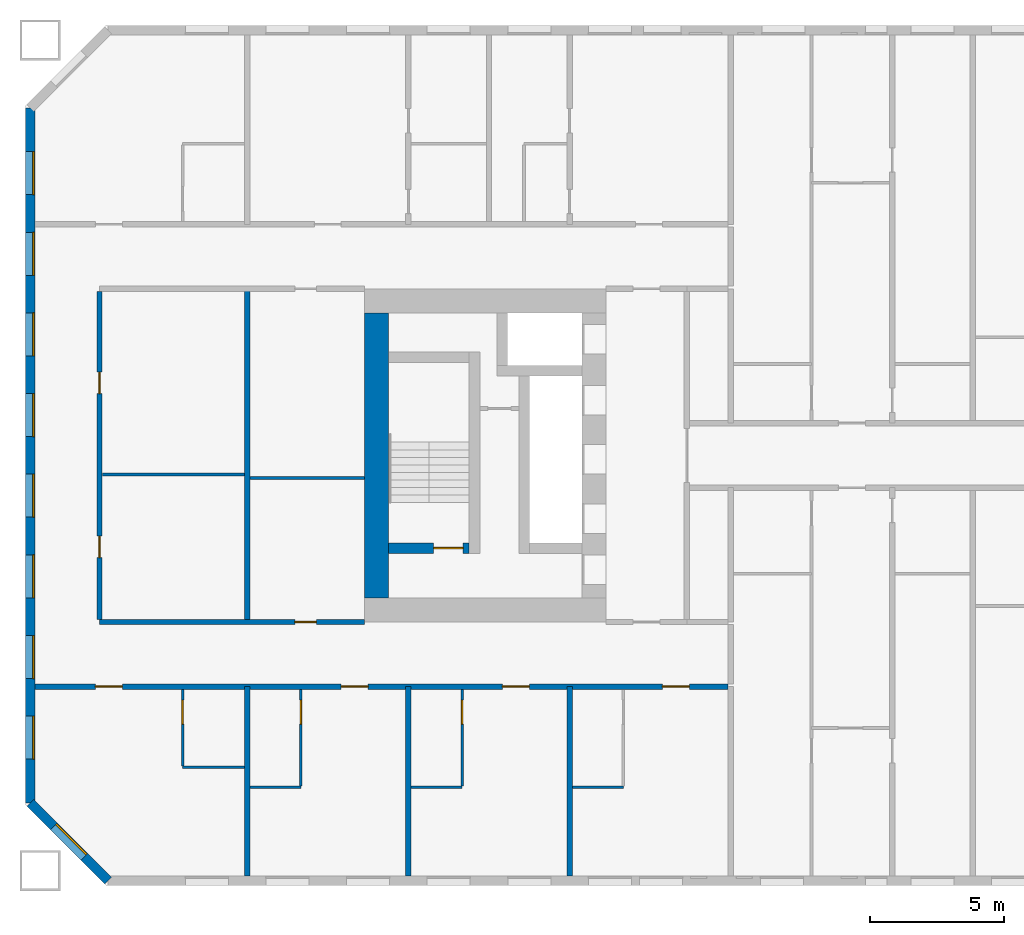
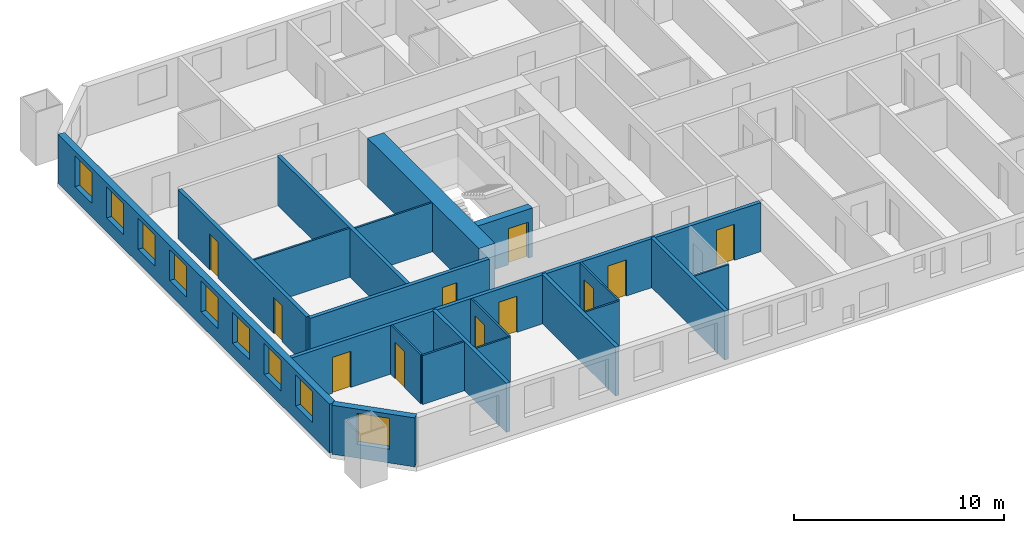
# One storey, part 2 of 16: 20 walls, 11 doors, 9 windows, 20 openings.
"""IFC4 building model written with IfcOpenShell, lengths in metres."""

from ifc_helpers import new_model, si_unit, direction, frame, frame_2d, origin, place, context, subcontext, project, spatial, rectangle, extrude, material, layer, layer_set, type_object, element, fill, save


model = new_model("IFC4")

# Units and contexts
model_context = context("Model", 3, precision=1e-05, world=origin(), true_north=direction((0.0, 1.0)))
body_context = subcontext(model_context, "Body", "Model", "MODEL_VIEW")
ifc_project = project(units=[si_unit("LENGTHUNIT", "METRE"), si_unit("AREAUNIT", "SQUARE_METRE"), si_unit("VOLUMEUNIT", "CUBIC_METRE"), si_unit("PLANEANGLEUNIT", "RADIAN"), si_unit("MASSUNIT", "GRAM", prefix="KILO")], contexts=[model_context])

# Site, building, storey
site_placement = place(None, origin())
site = spatial("IfcSite", under=ifc_project, at=site_placement, CompositionType="ELEMENT")
building_placement = place(site_placement, origin())
building = spatial("IfcBuilding", under=site, at=building_placement, Name="Tuart Gate Housing", CompositionType="ELEMENT")
storey_placement = place(building_placement, frame((0.0, 0.0, 35.0)))
storey = spatial("IfcBuildingStorey", under=building, at=storey_placement, Name="L09", CompositionType="ELEMENT", Elevation=35.0)

# Wall, opening, window
ifc_material_1 = material(Name="Brick", Category="masonry")
ifc_layer_1 = layer(ifc_material_1, 0.360107421875)
ifc_layer_set_1 = layer_set([ifc_layer_1], Name="Brick pier and spandrel wall 360")
wall_type_1 = type_object("IfcWallType", Name="Brick pier and spandrel wall 360", PredefinedType="STANDARD", material=ifc_layer_set_1)
wall_1_placement = place(storey_placement, frame((19.929931640625, 57.07470703125, 0.0), z_axis=(0.0, 0.0, 1.0), x_axis=(0.707106781187, -0.707106781187, 0.0)))
wall_1 = element("IfcWall", 1, at=wall_1_placement, inside=storey, type_object=wall_type_1, Name="External wall A-SW L09", PredefinedType="STANDARD", context=body_context, shape_type="SweptSolid", body=[
    extrude(rectangle(XDim=4.09375, YDim=0.360107421875, at=frame_2d((2.046875, 0.0))), origin(), (0.0, 0.0, 1.0), 2.85009765625),
])
opening_1_placement = place(wall_1_placement, frame((1.2470703125, 0.0, 0.800048828125)))
opening_1 = element("IfcOpeningElement", 2, at=opening_1_placement, cuts=wall_1, Name="Opening W1", PredefinedType="OPENING", context=body_context, shape_type="SweptSolid", body=[
    extrude(rectangle(XDim=1.60009765625, YDim=1.800048828125, at=frame_2d((0.800048828125, 0.89990234375))), frame((0.0, 0.18994140625, 0.0), z_axis=(0.0, -1.0, 0.0), x_axis=(1.0, 0.0, 0.0)), (0.0, 0.0, 1.0), 0.380126953125),
])
ifc_material_2 = material(Name="Aluminium frame with clear glass", Category="aluminium")
window_type = type_object("IfcWindowType", Name="Punched window 1600 x 1800", PartitioningType="SINGLE_PANEL", PredefinedType="WINDOW", material=ifc_material_2)
window_1_placement = place(opening_1_placement, origin())
window_1 = element("IfcWindow", 3, at=window_1_placement, inside=storey, type_object=window_type, Name="Window W1", OverallHeight=1.800048828125, OverallWidth=1.60009765625, PartitioningType="SINGLE_PANEL", PredefinedType="WINDOW", context=body_context, shape_type="SweptSolid", body=[
    extrude(rectangle(XDim=1.60009765625, YDim=1.800048828125, at=frame_2d((0.800048828125, 0.89990234375))), frame((0.0, 0.150146484375, 0.0), z_axis=(0.0, -1.0, 0.0), x_axis=(1.0, 0.0, 0.0)), (0.0, 0.0, 1.0), 0.06005859375),
])
fill(opening_1, window_1)

# Wall, openings, windows
wall_2_placement = place(storey_placement, frame((19.929931640625, 82.92529296875, 0.0), z_axis=(0.0, 0.0, 1.0), x_axis=(0.0, -1.0, 0.0)))
wall_2 = element("IfcWall", 4, at=wall_2_placement, inside=storey, type_object=wall_type_1, Name="External wall A-W L09", PredefinedType="STANDARD", context=body_context, shape_type="SweptSolid", body=[
    extrude(rectangle(XDim=25.850830078125, YDim=0.360107421875, at=frame_2d((12.92529296875, 0.0))), origin(), (0.0, 0.0, 1.0), 2.85009765625),
])
opening_2_placement = place(wall_2_placement, frame((1.62548828125, 0.0, 0.800048828125)))
opening_2 = element("IfcOpeningElement", 5, at=opening_2_placement, cuts=wall_2, Name="Opening W1", PredefinedType="OPENING", context=body_context, shape_type="SweptSolid", body=[
    extrude(rectangle(XDim=1.60009765625, YDim=1.800048828125, at=frame_2d((0.800048828125, 0.89990234375))), frame((0.0, 0.18994140625, 0.0), z_axis=(0.0, -1.0, 0.0), x_axis=(1.0, 0.0, 0.0)), (0.0, 0.0, 1.0), 0.380126953125),
])
opening_3_placement = place(wall_2_placement, frame((4.62548828125, 0.0, 0.800048828125)))
opening_3 = element("IfcOpeningElement", 6, at=opening_3_placement, cuts=wall_2, Name="Opening W1", PredefinedType="OPENING", context=body_context, shape_type="SweptSolid", body=[
    extrude(rectangle(XDim=1.60009765625, YDim=1.800048828125, at=frame_2d((0.800048828125, 0.89990234375))), frame((0.0, 0.18994140625, 0.0), z_axis=(0.0, -1.0, 0.0), x_axis=(1.0, 0.0, 0.0)), (0.0, 0.0, 1.0), 0.380126953125),
])
opening_4_placement = place(wall_2_placement, frame((7.62548828125, 0.0, 0.800048828125)))
opening_4 = element("IfcOpeningElement", 7, at=opening_4_placement, cuts=wall_2, Name="Opening W1", PredefinedType="OPENING", context=body_context, shape_type="SweptSolid", body=[
    extrude(rectangle(XDim=1.60009765625, YDim=1.800048828125, at=frame_2d((0.800048828125, 0.89990234375))), frame((0.0, 0.18994140625, 0.0), z_axis=(0.0, -1.0, 0.0), x_axis=(1.0, 0.0, 0.0)), (0.0, 0.0, 1.0), 0.380126953125),
])
opening_5_placement = place(wall_2_placement, frame((10.62548828125, 0.0, 0.800048828125)))
opening_5 = element("IfcOpeningElement", 8, at=opening_5_placement, cuts=wall_2, Name="Opening W1", PredefinedType="OPENING", context=body_context, shape_type="SweptSolid", body=[
    extrude(rectangle(XDim=1.60009765625, YDim=1.800048828125, at=frame_2d((0.800048828125, 0.89990234375))), frame((0.0, 0.18994140625, 0.0), z_axis=(0.0, -1.0, 0.0), x_axis=(1.0, 0.0, 0.0)), (0.0, 0.0, 1.0), 0.380126953125),
])
opening_6_placement = place(wall_2_placement, frame((13.62548828125, 0.0, 0.800048828125)))
opening_6 = element("IfcOpeningElement", 9, at=opening_6_placement, cuts=wall_2, Name="Opening W1", PredefinedType="OPENING", context=body_context, shape_type="SweptSolid", body=[
    extrude(rectangle(XDim=1.60009765625, YDim=1.800048828125, at=frame_2d((0.800048828125, 0.89990234375))), frame((0.0, 0.18994140625, 0.0), z_axis=(0.0, -1.0, 0.0), x_axis=(1.0, 0.0, 0.0)), (0.0, 0.0, 1.0), 0.380126953125),
])
opening_7_placement = place(wall_2_placement, frame((16.62548828125, 0.0, 0.800048828125)))
opening_7 = element("IfcOpeningElement", 10, at=opening_7_placement, cuts=wall_2, Name="Opening W1", PredefinedType="OPENING", context=body_context, shape_type="SweptSolid", body=[
    extrude(rectangle(XDim=1.60009765625, YDim=1.800048828125, at=frame_2d((0.800048828125, 0.89990234375))), frame((0.0, 0.18994140625, 0.0), z_axis=(0.0, -1.0, 0.0), x_axis=(1.0, 0.0, 0.0)), (0.0, 0.0, 1.0), 0.380126953125),
])
opening_8_placement = place(wall_2_placement, frame((19.62548828125, 0.0, 0.800048828125)))
opening_8 = element("IfcOpeningElement", 11, at=opening_8_placement, cuts=wall_2, Name="Opening W1", PredefinedType="OPENING", context=body_context, shape_type="SweptSolid", body=[
    extrude(rectangle(XDim=1.60009765625, YDim=1.800048828125, at=frame_2d((0.800048828125, 0.89990234375))), frame((0.0, 0.18994140625, 0.0), z_axis=(0.0, -1.0, 0.0), x_axis=(1.0, 0.0, 0.0)), (0.0, 0.0, 1.0), 0.380126953125),
])
opening_9_placement = place(wall_2_placement, frame((22.62548828125, 0.0, 0.800048828125)))
opening_9 = element("IfcOpeningElement", 12, at=opening_9_placement, cuts=wall_2, Name="Opening W1", PredefinedType="OPENING", context=body_context, shape_type="SweptSolid", body=[
    extrude(rectangle(XDim=1.60009765625, YDim=1.800048828125, at=frame_2d((0.800048828125, 0.89990234375))), frame((0.0, 0.18994140625, 0.0), z_axis=(0.0, -1.0, 0.0), x_axis=(1.0, 0.0, 0.0)), (0.0, 0.0, 1.0), 0.380126953125),
])
window_2_placement = place(opening_2_placement, origin())
window_2 = element("IfcWindow", 13, at=window_2_placement, inside=storey, type_object=window_type, Name="Window W1", OverallHeight=1.800048828125, OverallWidth=1.60009765625, PartitioningType="SINGLE_PANEL", PredefinedType="WINDOW", context=body_context, shape_type="SweptSolid", body=[
    extrude(rectangle(XDim=1.60009765625, YDim=1.800048828125, at=frame_2d((0.800048828125, 0.89990234375))), frame((0.0, 0.150146484375, 0.0), z_axis=(0.0, -1.0, 0.0), x_axis=(1.0, 0.0, 0.0)), (0.0, 0.0, 1.0), 0.06005859375),
])
fill(opening_2, window_2)
window_3_placement = place(opening_3_placement, origin())
window_3 = element("IfcWindow", 14, at=window_3_placement, inside=storey, type_object=window_type, Name="Window W1", OverallHeight=1.800048828125, OverallWidth=1.60009765625, PartitioningType="SINGLE_PANEL", PredefinedType="WINDOW", context=body_context, shape_type="SweptSolid", body=[
    extrude(rectangle(XDim=1.60009765625, YDim=1.800048828125, at=frame_2d((0.800048828125, 0.89990234375))), frame((0.0, 0.150146484375, 0.0), z_axis=(0.0, -1.0, 0.0), x_axis=(1.0, 0.0, 0.0)), (0.0, 0.0, 1.0), 0.06005859375),
])
fill(opening_3, window_3)
window_4_placement = place(opening_4_placement, origin())
window_4 = element("IfcWindow", 15, at=window_4_placement, inside=storey, type_object=window_type, Name="Window W1", OverallHeight=1.800048828125, OverallWidth=1.60009765625, PartitioningType="SINGLE_PANEL", PredefinedType="WINDOW", context=body_context, shape_type="SweptSolid", body=[
    extrude(rectangle(XDim=1.60009765625, YDim=1.800048828125, at=frame_2d((0.800048828125, 0.89990234375))), frame((0.0, 0.150146484375, 0.0), z_axis=(0.0, -1.0, 0.0), x_axis=(1.0, 0.0, 0.0)), (0.0, 0.0, 1.0), 0.06005859375),
])
fill(opening_4, window_4)
window_5_placement = place(opening_5_placement, origin())
window_5 = element("IfcWindow", 16, at=window_5_placement, inside=storey, type_object=window_type, Name="Window W1", OverallHeight=1.800048828125, OverallWidth=1.60009765625, PartitioningType="SINGLE_PANEL", PredefinedType="WINDOW", context=body_context, shape_type="SweptSolid", body=[
    extrude(rectangle(XDim=1.60009765625, YDim=1.800048828125, at=frame_2d((0.800048828125, 0.89990234375))), frame((0.0, 0.150146484375, 0.0), z_axis=(0.0, -1.0, 0.0), x_axis=(1.0, 0.0, 0.0)), (0.0, 0.0, 1.0), 0.06005859375),
])
fill(opening_5, window_5)
window_6_placement = place(opening_6_placement, origin())
window_6 = element("IfcWindow", 17, at=window_6_placement, inside=storey, type_object=window_type, Name="Window W1", OverallHeight=1.800048828125, OverallWidth=1.60009765625, PartitioningType="SINGLE_PANEL", PredefinedType="WINDOW", context=body_context, shape_type="SweptSolid", body=[
    extrude(rectangle(XDim=1.60009765625, YDim=1.800048828125, at=frame_2d((0.800048828125, 0.89990234375))), frame((0.0, 0.150146484375, 0.0), z_axis=(0.0, -1.0, 0.0), x_axis=(1.0, 0.0, 0.0)), (0.0, 0.0, 1.0), 0.06005859375),
])
fill(opening_6, window_6)
window_7_placement = place(opening_7_placement, origin())
window_7 = element("IfcWindow", 18, at=window_7_placement, inside=storey, type_object=window_type, Name="Window W1", OverallHeight=1.800048828125, OverallWidth=1.60009765625, PartitioningType="SINGLE_PANEL", PredefinedType="WINDOW", context=body_context, shape_type="SweptSolid", body=[
    extrude(rectangle(XDim=1.60009765625, YDim=1.800048828125, at=frame_2d((0.800048828125, 0.89990234375))), frame((0.0, 0.150146484375, 0.0), z_axis=(0.0, -1.0, 0.0), x_axis=(1.0, 0.0, 0.0)), (0.0, 0.0, 1.0), 0.06005859375),
])
fill(opening_7, window_7)
window_8_placement = place(opening_8_placement, origin())
window_8 = element("IfcWindow", 19, at=window_8_placement, inside=storey, type_object=window_type, Name="Window W1", OverallHeight=1.800048828125, OverallWidth=1.60009765625, PartitioningType="SINGLE_PANEL", PredefinedType="WINDOW", context=body_context, shape_type="SweptSolid", body=[
    extrude(rectangle(XDim=1.60009765625, YDim=1.800048828125, at=frame_2d((0.800048828125, 0.89990234375))), frame((0.0, 0.150146484375, 0.0), z_axis=(0.0, -1.0, 0.0), x_axis=(1.0, 0.0, 0.0)), (0.0, 0.0, 1.0), 0.06005859375),
])
fill(opening_8, window_8)
window_9_placement = place(opening_9_placement, origin())
window_9 = element("IfcWindow", 20, at=window_9_placement, inside=storey, type_object=window_type, Name="Window W1", OverallHeight=1.800048828125, OverallWidth=1.60009765625, PartitioningType="SINGLE_PANEL", PredefinedType="WINDOW", context=body_context, shape_type="SweptSolid", body=[
    extrude(rectangle(XDim=1.60009765625, YDim=1.800048828125, at=frame_2d((0.800048828125, 0.89990234375))), frame((0.0, 0.150146484375, 0.0), z_axis=(0.0, -1.0, 0.0), x_axis=(1.0, 0.0, 0.0)), (0.0, 0.0, 1.0), 0.06005859375),
])
fill(opening_9, window_9)

# Wall, opening, door
ifc_material_3 = material(Name="Concrete C60", Category="concrete")
ifc_layer_2 = layer(ifc_material_3, 0.39990234375)
ifc_layer_set_2 = layer_set([ifc_layer_2], Name="Core wall 400 C60")
wall_type_2 = type_object("IfcWallType", Name="Core wall 400 C60", PredefinedType="SHEAR", material=ifc_layer_set_2)
wall_3_placement = place(storey_placement, frame((36.260009765625, 66.550048828125, 0.0), z_axis=(0.0, 0.0, 1.0), x_axis=(-1.0, 0.0, 0.0)))
wall_3 = element("IfcWall", 21, at=wall_3_placement, inside=storey, type_object=wall_type_2, Name="Core wall AK.5", PredefinedType="SHEAR", context=body_context, shape_type="SweptSolid", body=[
    extrude(rectangle(XDim=3.0, YDim=0.39990234375, at=frame_2d((1.5, 0.0))), origin(), (0.0, 0.0, 1.0), 2.85009765625),
])
opening_10_placement = place(wall_3_placement, frame((0.219970703125, 0.0, 0.0)))
opening_10 = element("IfcOpeningElement", 22, at=opening_10_placement, cuts=wall_3, Name="Opening D506", PredefinedType="OPENING", context=body_context, shape_type="SweptSolid", body=[
    extrude(rectangle(XDim=1.10009765625, YDim=2.10009765625, at=frame_2d((0.550048828125, 1.050048828125))), frame((0.0, 0.2099609375, 0.0), z_axis=(0.0, -1.0, 0.0), x_axis=(1.0, 0.0, 0.0)), (0.0, 0.0, 1.0), 0.419921875),
])
ifc_material_4 = material(Name="Steel fire door", Category="steel")
door_type_1 = type_object("IfcDoorType", Name="Stair door 1100 x 2100 RH", OperationType="SINGLE_SWING_RIGHT", PredefinedType="DOOR", material=ifc_material_4)
door_1_placement = place(opening_10_placement, frame((1.10009765625, 0.0, 0.0), z_axis=(0.0, 0.0, 1.0), x_axis=(-1.0, 0.0, 0.0)))
door_1 = element("IfcDoor", 23, at=door_1_placement, inside=storey, type_object=door_type_1, Name="Stair door AK.SD", OperationType="SINGLE_SWING_RIGHT", OverallHeight=2.10009765625, OverallWidth=1.10009765625, PredefinedType="DOOR", context=body_context, shape_type="SweptSolid", body=[
    extrude(rectangle(XDim=1.10009765625, YDim=2.10009765625, at=frame_2d((0.550048828125, 1.050048828125))), frame((0.0, 0.025146484375, 0.0), z_axis=(0.0, -1.0, 0.0), x_axis=(1.0, 0.0, 0.0)), (0.0, 0.0, 1.0), 0.050048828125),
])
fill(opening_10, door_1)

# Wall
ifc_material_5 = material(Name="Concrete C60", Category="concrete")
ifc_layer_3 = layer(ifc_material_5, 0.89990234375)
ifc_layer_set_3 = layer_set([ifc_layer_3], Name="Core wall 900 C60")
wall_type_3 = type_object("IfcWallType", Name="Core wall 900 C60", PredefinedType="SHEAR", material=ifc_layer_set_3)
wall_4_placement = place(storey_placement, frame((32.81005859375, 75.300048828125, 0.0), z_axis=(0.0, 0.0, 1.0), x_axis=(0.0, -1.0, 0.0)))
element("IfcWall", 24, at=wall_4_placement, inside=storey, type_object=wall_type_3, Name="Core wall AK back", PredefinedType="SHEAR", context=body_context, shape_type="SweptSolid", body=[
    extrude(rectangle(XDim=10.60009765625, YDim=0.89990234375, at=frame_2d((5.300048828125, 0.0))), origin(), (0.0, 0.0, 1.0), 2.85009765625),
])

# Wall, openings, doors
ifc_material_6 = material(Name="Concrete masonry 15 MPa", Category="masonry")
ifc_layer_4 = layer(ifc_material_6, 0.199951171875)
ifc_layer_set_4 = layer_set([ifc_layer_4], Name="Corridor wall masonry 200")
wall_type_4 = type_object("IfcWallType", Name="Corridor wall masonry 200", PredefinedType="PARTITIONING", material=ifc_layer_set_4)
wall_5_placement = place(storey_placement, frame((20.110107421875, 61.39990234375, 0.0), z_axis=(0.0, 0.0, 1.0), x_axis=(1.0, 0.0, 0.0)))
wall_5 = element("IfcWall", 25, at=wall_5_placement, inside=storey, type_object=wall_type_4, Name="Corridor wall masonry 200", PredefinedType="PARTITIONING", context=body_context, shape_type="SweptSolid", body=[
    extrude(rectangle(XDim=25.789794921875, YDim=0.199951171875, at=frame_2d((12.89501953125, 0.0))), origin(), (0.0, 0.0, 1.0), 2.85009765625),
])
opening_11_placement = place(wall_5_placement, frame((23.340087890625, 0.0, 0.0)))
opening_11 = element("IfcOpeningElement", 26, at=opening_11_placement, cuts=wall_5, Name="Opening D518", PredefinedType="OPENING", context=body_context, shape_type="SweptSolid", body=[
    extrude(rectangle(XDim=1.0, YDim=2.10009765625, at=frame_2d((0.5, 1.050048828125))), frame((0.0, 0.10986328125, 0.0), z_axis=(0.0, -1.0, 0.0), x_axis=(1.0, 0.0, 0.0)), (0.0, 0.0, 1.0), 0.219970703125),
])
opening_12_placement = place(wall_5_placement, frame((17.389892578125, 0.0, 0.0)))
opening_12 = element("IfcOpeningElement", 27, at=opening_12_placement, cuts=wall_5, Name="Opening D519", PredefinedType="OPENING", context=body_context, shape_type="SweptSolid", body=[
    extrude(rectangle(XDim=1.0, YDim=2.10009765625, at=frame_2d((0.5, 1.050048828125))), frame((0.0, 0.10986328125, 0.0), z_axis=(0.0, -1.0, 0.0), x_axis=(1.0, 0.0, 0.0)), (0.0, 0.0, 1.0), 0.219970703125),
])
opening_13_placement = place(wall_5_placement, frame((11.389892578125, 0.0, 0.0)))
opening_13 = element("IfcOpeningElement", 28, at=opening_13_placement, cuts=wall_5, Name="Opening D520", PredefinedType="OPENING", context=body_context, shape_type="SweptSolid", body=[
    extrude(rectangle(XDim=1.0, YDim=2.10009765625, at=frame_2d((0.5, 1.050048828125))), frame((0.0, 0.10986328125, 0.0), z_axis=(0.0, -1.0, 0.0), x_axis=(1.0, 0.0, 0.0)), (0.0, 0.0, 1.0), 0.219970703125),
])
opening_14_placement = place(wall_5_placement, frame((2.2451171875, 0.0, 0.0)))
opening_14 = element("IfcOpeningElement", 29, at=opening_14_placement, cuts=wall_5, Name="Opening D521", PredefinedType="OPENING", context=body_context, shape_type="SweptSolid", body=[
    extrude(rectangle(XDim=1.0, YDim=2.10009765625, at=frame_2d((0.5, 1.050048828125))), frame((0.0, 0.10986328125, 0.0), z_axis=(0.0, -1.0, 0.0), x_axis=(1.0, 0.0, 0.0)), (0.0, 0.0, 1.0), 0.219970703125),
])
ifc_material_7 = material(Name="Timber door leaf in steel frame", Category="steel")
door_type_2 = type_object("IfcDoorType", Name="Flat entrance door 1000 RH", OperationType="SINGLE_SWING_RIGHT", PredefinedType="DOOR", material=ifc_material_7)
door_2_placement = place(opening_11_placement, frame((1.0, 0.0, 0.0), z_axis=(0.0, 0.0, 1.0), x_axis=(-1.0, 0.0, 0.0)))
door_2 = element("IfcDoor", 30, at=door_2_placement, inside=storey, type_object=door_type_2, Name="Flat entrance door", OperationType="SINGLE_SWING_RIGHT", OverallHeight=2.10009765625, OverallWidth=1.0, PredefinedType="DOOR", context=body_context, shape_type="SweptSolid", body=[
    extrude(rectangle(XDim=1.0, YDim=2.10009765625, at=frame_2d((0.5, 1.050048828125))), frame((0.0, 0.025146484375, 0.0), z_axis=(0.0, -1.0, 0.0), x_axis=(1.0, 0.0, 0.0)), (0.0, 0.0, 1.0), 0.050048828125),
])
fill(opening_11, door_2)
door_3_placement = place(opening_12_placement, frame((1.0, 0.0, 0.0), z_axis=(0.0, 0.0, 1.0), x_axis=(-1.0, 0.0, 0.0)))
door_3 = element("IfcDoor", 31, at=door_3_placement, inside=storey, type_object=door_type_2, Name="Flat entrance door", OperationType="SINGLE_SWING_RIGHT", OverallHeight=2.10009765625, OverallWidth=1.0, PredefinedType="DOOR", context=body_context, shape_type="SweptSolid", body=[
    extrude(rectangle(XDim=1.0, YDim=2.10009765625, at=frame_2d((0.5, 1.050048828125))), frame((0.0, 0.025146484375, 0.0), z_axis=(0.0, -1.0, 0.0), x_axis=(1.0, 0.0, 0.0)), (0.0, 0.0, 1.0), 0.050048828125),
])
fill(opening_12, door_3)
door_4_placement = place(opening_13_placement, frame((1.0, 0.0, 0.0), z_axis=(0.0, 0.0, 1.0), x_axis=(-1.0, 0.0, 0.0)))
door_4 = element("IfcDoor", 32, at=door_4_placement, inside=storey, type_object=door_type_2, Name="Flat entrance door", OperationType="SINGLE_SWING_RIGHT", OverallHeight=2.10009765625, OverallWidth=1.0, PredefinedType="DOOR", context=body_context, shape_type="SweptSolid", body=[
    extrude(rectangle(XDim=1.0, YDim=2.10009765625, at=frame_2d((0.5, 1.050048828125))), frame((0.0, 0.025146484375, 0.0), z_axis=(0.0, -1.0, 0.0), x_axis=(1.0, 0.0, 0.0)), (0.0, 0.0, 1.0), 0.050048828125),
])
fill(opening_13, door_4)
door_5_placement = place(opening_14_placement, frame((1.0, 0.0, 0.0), z_axis=(0.0, 0.0, 1.0), x_axis=(-1.0, 0.0, 0.0)))
door_5 = element("IfcDoor", 33, at=door_5_placement, inside=storey, type_object=door_type_2, Name="Flat entrance door", OperationType="SINGLE_SWING_RIGHT", OverallHeight=2.10009765625, OverallWidth=1.0, PredefinedType="DOOR", context=body_context, shape_type="SweptSolid", body=[
    extrude(rectangle(XDim=1.0, YDim=2.10009765625, at=frame_2d((0.5, 1.050048828125))), frame((0.0, 0.025146484375, 0.0), z_axis=(0.0, -1.0, 0.0), x_axis=(1.0, 0.0, 0.0)), (0.0, 0.0, 1.0), 0.050048828125),
])
fill(opening_14, door_5)

# Wall, opening, door
wall_6_placement = place(storey_placement, frame((22.510009765625, 63.800048828125, 0.0), z_axis=(0.0, 0.0, 1.0), x_axis=(1.0, 0.0, 0.0)))
wall_6 = element("IfcWall", 34, at=wall_6_placement, inside=storey, type_object=wall_type_4, Name="Corridor wall masonry 200", PredefinedType="PARTITIONING", context=body_context, shape_type="SweptSolid", body=[
    extrude(rectangle(XDim=9.85009765625, YDim=0.199951171875, at=frame_2d((4.925048828125, 0.0))), origin(), (0.0, 0.0, 1.0), 2.85009765625),
])
opening_15_placement = place(wall_6_placement, frame((7.27001953125, 0.0, 0.0)))
opening_15 = element("IfcOpeningElement", 35, at=opening_15_placement, cuts=wall_6, Name="Opening D507", PredefinedType="OPENING", context=body_context, shape_type="SweptSolid", body=[
    extrude(rectangle(XDim=0.800048828125, YDim=2.10009765625, at=frame_2d((0.39990234375, 1.050048828125))), frame((0.0, 0.10986328125, 0.0), z_axis=(0.0, -1.0, 0.0), x_axis=(1.0, 0.0, 0.0)), (0.0, 0.0, 1.0), 0.219970703125),
])
ifc_material_8 = material(Name="Timber door leaf in steel frame", Category="steel")
door_type_3 = type_object("IfcDoorType", Name="Store door 800", OperationType="SINGLE_SWING_LEFT", PredefinedType="DOOR", material=ifc_material_8)
door_6_placement = place(opening_15_placement, origin())
door_6 = element("IfcDoor", 36, at=door_6_placement, inside=storey, type_object=door_type_3, Name="Store door", OperationType="SINGLE_SWING_LEFT", OverallHeight=2.10009765625, OverallWidth=0.800048828125, PredefinedType="DOOR", context=body_context, shape_type="SweptSolid", body=[
    extrude(rectangle(XDim=0.800048828125, YDim=2.10009765625, at=frame_2d((0.39990234375, 1.050048828125))), frame((0.0, 0.02490234375, 0.0), z_axis=(0.0, -1.0, 0.0), x_axis=(1.0, 0.0, 0.0)), (0.0, 0.0, 1.0), 0.050048828125),
])
fill(opening_15, door_6)

# Wall, openings, doors
wall_7_placement = place(storey_placement, frame((22.510009765625, 63.89990234375, 0.0), z_axis=(0.0, 0.0, 1.0), x_axis=(0.0, 1.0, 0.0)))
wall_7 = element("IfcWall", 37, at=wall_7_placement, inside=storey, type_object=wall_type_4, Name="Corridor wall masonry 200", PredefinedType="PARTITIONING", context=body_context, shape_type="SweptSolid", body=[
    extrude(rectangle(XDim=12.2001953125, YDim=0.199951171875, at=frame_2d((6.10009765625, 0.0))), origin(), (0.0, 0.0, 1.0), 2.85009765625),
])
opening_16_placement = place(wall_7_placement, frame((2.294921875, 0.0, 0.0)))
opening_16 = element("IfcOpeningElement", 38, at=opening_16_placement, cuts=wall_7, Name="Opening D496", PredefinedType="OPENING", context=body_context, shape_type="SweptSolid", body=[
    extrude(rectangle(XDim=0.800048828125, YDim=2.10009765625, at=frame_2d((0.39990234375, 1.050048828125))), frame((0.0, 0.10986328125, 0.0), z_axis=(0.0, -1.0, 0.0), x_axis=(1.0, 0.0, 0.0)), (0.0, 0.0, 1.0), 0.219970703125),
])
opening_17_placement = place(wall_7_placement, frame((8.39501953125, 0.0, 0.0)))
opening_17 = element("IfcOpeningElement", 39, at=opening_17_placement, cuts=wall_7, Name="Opening D497", PredefinedType="OPENING", context=body_context, shape_type="SweptSolid", body=[
    extrude(rectangle(XDim=0.800048828125, YDim=2.10009765625, at=frame_2d((0.39990234375, 1.050048828125))), frame((0.0, 0.10986328125, 0.0), z_axis=(0.0, -1.0, 0.0), x_axis=(1.0, 0.0, 0.0)), (0.0, 0.0, 1.0), 0.219970703125),
])
door_7_placement = place(opening_16_placement, frame((0.800048828125, 0.0, 0.0), z_axis=(0.0, 0.0, 1.0), x_axis=(-1.0, 0.0, 0.0)))
door_7 = element("IfcDoor", 40, at=door_7_placement, inside=storey, type_object=door_type_3, Name="Store door", OperationType="SINGLE_SWING_LEFT", OverallHeight=2.10009765625, OverallWidth=0.800048828125, PredefinedType="DOOR", context=body_context, shape_type="SweptSolid", body=[
    extrude(rectangle(XDim=0.800048828125, YDim=2.10009765625, at=frame_2d((0.400146484375, 1.050048828125))), frame((0.0, 0.025146484375, 0.0), z_axis=(0.0, -1.0, 0.0), x_axis=(1.0, 0.0, 0.0)), (0.0, 0.0, 1.0), 0.050048828125),
])
fill(opening_16, door_7)
ifc_material_9 = material(Name="Timber door leaf in steel frame", Category="steel")
door_type_4 = type_object("IfcDoorType", Name="Store door 800 RH", OperationType="SINGLE_SWING_RIGHT", PredefinedType="DOOR", material=ifc_material_9)
door_8_placement = place(opening_17_placement, frame((0.800048828125, 0.0, 0.0), z_axis=(0.0, 0.0, 1.0), x_axis=(-1.0, 0.0, 0.0)))
door_8 = element("IfcDoor", 41, at=door_8_placement, inside=storey, type_object=door_type_4, Name="Store door", OperationType="SINGLE_SWING_RIGHT", OverallHeight=2.10009765625, OverallWidth=0.800048828125, PredefinedType="DOOR", context=body_context, shape_type="SweptSolid", body=[
    extrude(rectangle(XDim=0.800048828125, YDim=2.10009765625, at=frame_2d((0.400146484375, 1.050048828125))), frame((0.0, 0.025146484375, 0.0), z_axis=(0.0, -1.0, 0.0), x_axis=(1.0, 0.0, 0.0)), (0.0, 0.0, 1.0), 0.050048828125),
])
fill(opening_17, door_8)

# Walls
ifc_material_10 = material(Name="Gypsum board on steel studs", Category="steel")
ifc_layer_5 = layer(ifc_material_10, 0.10009765625)
ifc_layer_set_5 = layer_set([ifc_layer_5], Name="Partition 100")
wall_type_5 = type_object("IfcWallType", Name="Partition 100", PredefinedType="PARTITIONING", material=ifc_layer_set_5)
for number, where, z_axis, x_axis, name in (
    (42, (28.10009765625, 57.64990234375, 0.0), (0.0, 0.0, 1.0), (1.0, 0.0, 0.0), "Partition 100"),
    (43, (34.10009765625, 57.64990234375, 0.0), (0.0, 0.0, 1.0), (1.0, 0.0, 0.0), "Partition 100"),
    (44, (40.10009765625, 57.64990234375, 0.0), (0.0, 0.0, 1.0), (1.0, 0.0, 0.0), "Partition 100"),
):
    element("IfcWall", number, at=place(storey_placement, frame(where, z_axis=z_axis, x_axis=x_axis)), inside=storey, type_object=wall_type_5, Name=name, PredefinedType="PARTITIONING", context=body_context, shape_type="SweptSolid", body=[
        extrude(rectangle(XDim=1.89990234375, YDim=0.10009765625, at=frame_2d((0.949951171875, 0.0))), origin(), (0.0, 0.0, 1.0), 2.85009765625),
    ])
wall_8_placement = place(storey_placement, frame((25.60009765625, 58.39990234375, 0.0), z_axis=(0.0, 0.0, 1.0), x_axis=(1.0, 0.0, 0.0)))
element("IfcWall", 45, at=wall_8_placement, inside=storey, type_object=wall_type_5, Name="Partition 100", PredefinedType="PARTITIONING", context=body_context, shape_type="SweptSolid", body=[
    extrude(rectangle(XDim=2.2998046875, YDim=0.10009765625, at=frame_2d((1.14990234375, 0.0))), origin(), (0.0, 0.0, 1.0), 2.85009765625),
])
wall_9_placement = place(storey_placement, frame((28.10009765625, 69.159912109375, 0.0), z_axis=(0.0, 0.0, 1.0), x_axis=(1.0, 0.0, 0.0)))
element("IfcWall", 46, at=wall_9_placement, inside=storey, type_object=wall_type_5, Name="Partition 100", PredefinedType="PARTITIONING", context=body_context, shape_type="SweptSolid", body=[
    extrude(rectangle(XDim=4.260009765625, YDim=0.10009765625, at=frame_2d((2.1298828125, 0.0))), origin(), (0.0, 0.0, 1.0), 2.85009765625),
])
wall_10_placement = place(storey_placement, frame((22.610107421875, 69.2900390625, 0.0), z_axis=(0.0, 0.0, 1.0), x_axis=(1.0, 0.0, 0.0)))
element("IfcWall", 47, at=wall_10_placement, inside=storey, type_object=wall_type_5, Name="Partition 100", PredefinedType="PARTITIONING", context=body_context, shape_type="SweptSolid", body=[
    extrude(rectangle(XDim=5.289794921875, YDim=0.10009765625, at=frame_2d((2.64501953125, 0.0))), origin(), (0.0, 0.0, 1.0), 2.85009765625),
])

# Wall, opening, door
wall_11_placement = place(storey_placement, frame((25.60009765625, 58.449951171875, 0.0), z_axis=(0.0, 0.0, 1.0), x_axis=(0.0, 1.0, 0.0)))
wall_11 = element("IfcWall", 48, at=wall_11_placement, inside=storey, type_object=wall_type_5, Name="Partition 100", PredefinedType="PARTITIONING", context=body_context, shape_type="SweptSolid", body=[
    extrude(rectangle(XDim=2.85009765625, YDim=0.10009765625, at=frame_2d((1.425048828125, 0.0))), origin(), (0.0, 0.0, 1.0), 2.85009765625),
])
opening_18_placement = place(wall_11_placement, frame((1.550048828125, 0.0, 0.0)))
opening_18 = element("IfcOpeningElement", 49, at=opening_18_placement, cuts=wall_11, Name="Opening D524", PredefinedType="OPENING", context=body_context, shape_type="SweptSolid", body=[
    extrude(rectangle(XDim=0.89990234375, YDim=2.10009765625, at=frame_2d((0.449951171875, 1.050048828125))), frame((0.0, 0.06005859375, 0.0), z_axis=(0.0, -1.0, 0.0), x_axis=(1.0, 0.0, 0.0)), (0.0, 0.0, 1.0), 0.1201171875),
])
ifc_material_11 = material(Name="Timber door leaf in steel frame", Category="steel")
door_type_5 = type_object("IfcDoorType", Name="Bathroom door 900", OperationType="SINGLE_SWING_LEFT", PredefinedType="DOOR", material=ifc_material_11)
door_9_placement = place(opening_18_placement, frame((0.89990234375, 0.0, 0.0), z_axis=(0.0, 0.0, 1.0), x_axis=(-1.0, 0.0, 0.0)))
door_9 = element("IfcDoor", 50, at=door_9_placement, inside=storey, type_object=door_type_5, Name="Bathroom door", OperationType="SINGLE_SWING_LEFT", OverallHeight=2.10009765625, OverallWidth=0.89990234375, PredefinedType="DOOR", context=body_context, shape_type="SweptSolid", body=[
    extrude(rectangle(XDim=0.89990234375, YDim=2.10009765625, at=frame_2d((0.449951171875, 1.050048828125))), frame((0.0, 0.025146484375, 0.0), z_axis=(0.0, -1.0, 0.0), x_axis=(1.0, 0.0, 0.0)), (0.0, 0.0, 1.0), 0.050048828125),
])
fill(opening_18, door_9)

wall_12_placement = place(storey_placement, frame((30.0, 57.699951171875, 0.0), z_axis=(0.0, 0.0, 1.0), x_axis=(0.0, 1.0, 0.0)))
wall_12 = element("IfcWall", 51, at=wall_12_placement, inside=storey, type_object=wall_type_5, Name="Partition 100", PredefinedType="PARTITIONING", context=body_context, shape_type="SweptSolid", body=[
    extrude(rectangle(XDim=3.60009765625, YDim=0.10009765625, at=frame_2d((1.800048828125, 0.0))), origin(), (0.0, 0.0, 1.0), 2.85009765625),
])
opening_19_placement = place(wall_12_placement, frame((2.300048828125, 0.0, 0.0)))
opening_19 = element("IfcOpeningElement", 52, at=opening_19_placement, cuts=wall_12, Name="Opening D527", PredefinedType="OPENING", context=body_context, shape_type="SweptSolid", body=[
    extrude(rectangle(XDim=0.89990234375, YDim=2.10009765625, at=frame_2d((0.449951171875, 1.050048828125))), frame((0.0, 0.06005859375, 0.0), z_axis=(0.0, -1.0, 0.0), x_axis=(1.0, 0.0, 0.0)), (0.0, 0.0, 1.0), 0.1201171875),
])
ifc_material_12 = material(Name="Timber door leaf in steel frame", Category="steel")
door_type_6 = type_object("IfcDoorType", Name="Bathroom door 900 RH", OperationType="SINGLE_SWING_RIGHT", PredefinedType="DOOR", material=ifc_material_12)
door_10_placement = place(opening_19_placement, origin())
door_10 = element("IfcDoor", 53, at=door_10_placement, inside=storey, type_object=door_type_6, Name="Bathroom door", OperationType="SINGLE_SWING_RIGHT", OverallHeight=2.10009765625, OverallWidth=0.89990234375, PredefinedType="DOOR", context=body_context, shape_type="SweptSolid", body=[
    extrude(rectangle(XDim=0.89990234375, YDim=2.10009765625, at=frame_2d((0.449951171875, 1.050048828125))), frame((0.0, 0.02490234375, 0.0), z_axis=(0.0, -1.0, 0.0), x_axis=(1.0, 0.0, 0.0)), (0.0, 0.0, 1.0), 0.050048828125),
])
fill(opening_19, door_10)

wall_13_placement = place(storey_placement, frame((36.0, 57.699951171875, 0.0), z_axis=(0.0, 0.0, 1.0), x_axis=(0.0, 1.0, 0.0)))
wall_13 = element("IfcWall", 54, at=wall_13_placement, inside=storey, type_object=wall_type_5, Name="Partition 100", PredefinedType="PARTITIONING", context=body_context, shape_type="SweptSolid", body=[
    extrude(rectangle(XDim=3.60009765625, YDim=0.10009765625, at=frame_2d((1.800048828125, 0.0))), origin(), (0.0, 0.0, 1.0), 2.85009765625),
])
opening_20_placement = place(wall_13_placement, frame((2.300048828125, 0.0, 0.0)))
opening_20 = element("IfcOpeningElement", 55, at=opening_20_placement, cuts=wall_13, Name="Opening D528", PredefinedType="OPENING", context=body_context, shape_type="SweptSolid", body=[
    extrude(rectangle(XDim=0.89990234375, YDim=2.10009765625, at=frame_2d((0.449951171875, 1.050048828125))), frame((0.0, 0.06005859375, 0.0), z_axis=(0.0, -1.0, 0.0), x_axis=(1.0, 0.0, 0.0)), (0.0, 0.0, 1.0), 0.1201171875),
])
door_11_placement = place(opening_20_placement, origin())
door_11 = element("IfcDoor", 56, at=door_11_placement, inside=storey, type_object=door_type_6, Name="Bathroom door", OperationType="SINGLE_SWING_RIGHT", OverallHeight=2.10009765625, OverallWidth=0.89990234375, PredefinedType="DOOR", context=body_context, shape_type="SweptSolid", body=[
    extrude(rectangle(XDim=0.89990234375, YDim=2.10009765625, at=frame_2d((0.449951171875, 1.050048828125))), frame((0.0, 0.02490234375, 0.0), z_axis=(0.0, -1.0, 0.0), x_axis=(1.0, 0.0, 0.0)), (0.0, 0.0, 1.0), 0.050048828125),
])
fill(opening_20, door_11)

# Walls
ifc_material_13 = material(Name="Concrete C40", Category="concrete")
ifc_layer_6 = layer(ifc_material_13, 0.199951171875)
ifc_layer_set_6 = layer_set([ifc_layer_6], Name="Party wall concrete C40 200")
wall_type_6 = type_object("IfcWallType", Name="Party wall concrete C40 200", PredefinedType="SOLIDWALL", material=ifc_layer_set_6)
wall_14_placement = place(storey_placement, frame((28.0, 54.360107421875, 0.0), z_axis=(0.0, 0.0, 1.0), x_axis=(0.0, 1.0, 0.0)))
element("IfcWall", 57, at=wall_14_placement, inside=storey, type_object=wall_type_6, Name="Party wall concrete C40 200", PredefinedType="SOLIDWALL", context=body_context, shape_type="SweptSolid", body=[
    extrude(rectangle(XDim=7.039794921875, YDim=0.199951171875, at=frame_2d((3.52001953125, 0.0))), origin(), (0.0, 0.0, 1.0), 2.85009765625),
])
wall_15_placement = place(storey_placement, frame((28.0, 63.800048828125, 0.0), z_axis=(0.0, 0.0, 1.0), x_axis=(0.0, 1.0, 0.0)))
element("IfcWall", 58, at=wall_15_placement, inside=storey, type_object=wall_type_6, Name="Party wall concrete C40 200", PredefinedType="SOLIDWALL", context=body_context, shape_type="SweptSolid", body=[
    extrude(rectangle(XDim=12.39990234375, YDim=0.199951171875, at=frame_2d((6.199951171875, 0.0))), origin(), (0.0, 0.0, 1.0), 2.85009765625),
])
for number, where, z_axis, x_axis, name in (
    (59, (34.0, 54.360107421875, 0.0), (0.0, 0.0, 1.0), (0.0, 1.0, 0.0), "Party wall concrete C40 200"),
    (60, (40.0, 54.360107421875, 0.0), (0.0, 0.0, 1.0), (0.0, 1.0, 0.0), "Party wall concrete C40 200"),
):
    element("IfcWall", number, at=place(storey_placement, frame(where, z_axis=z_axis, x_axis=x_axis)), inside=storey, type_object=wall_type_6, Name=name, PredefinedType="SOLIDWALL", context=body_context, shape_type="SweptSolid", body=[
        extrude(rectangle(XDim=7.039794921875, YDim=0.199951171875, at=frame_2d((3.52001953125, 0.0))), origin(), (0.0, 0.0, 1.0), 2.85009765625),
    ])

save(model, "model.ifc")
